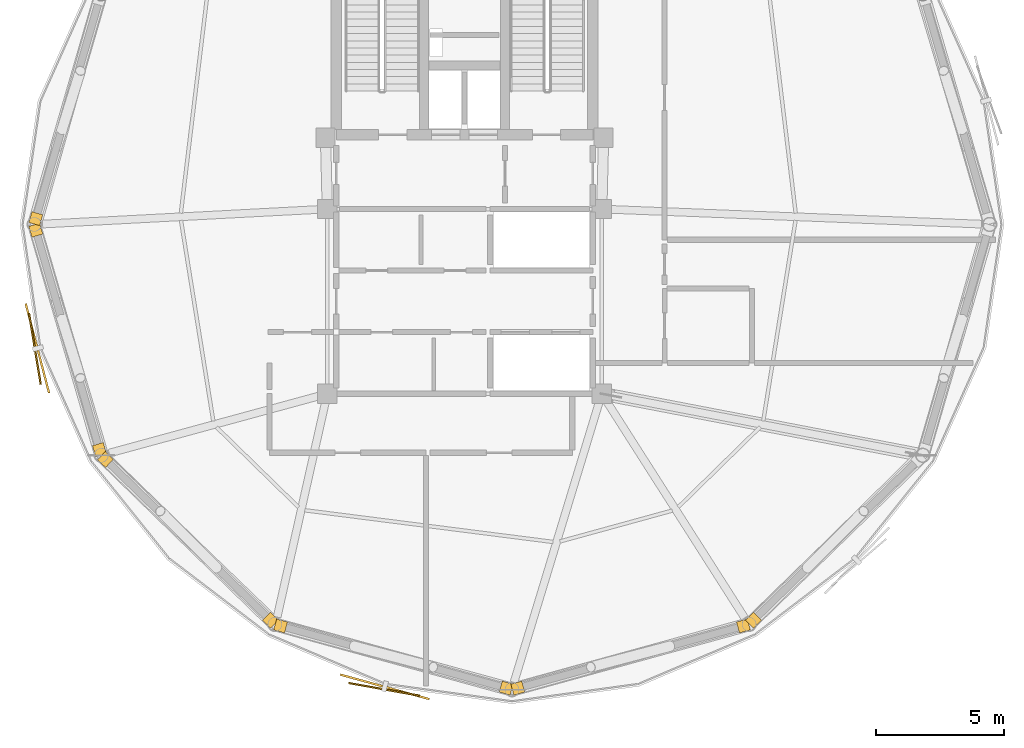
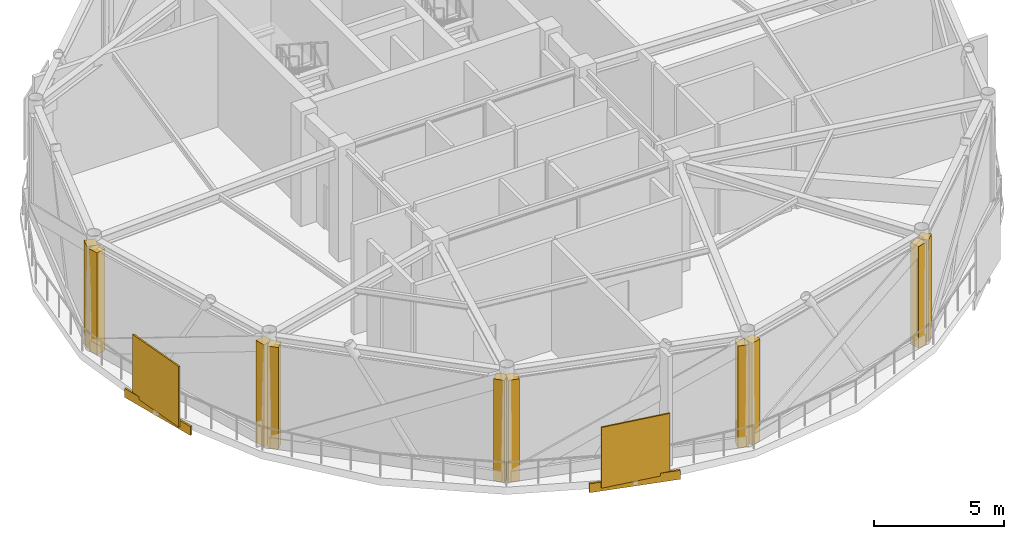
# One storey, part 6 of 10: 12 coverings, 2 shading devices.
"""IFC4 building model written with IfcOpenShell, lengths in metres."""

from ifc_helpers import new_model, si_unit, direction, frame, origin, origin_2d, place, context, subcontext, project, spatial, rectangle, extrude, source, transform, mapped, material, layer, layer_set, type_object, type_shapes, element, save


model = new_model("IFC4")

# Units and contexts
model_context = context("Model", 3, precision=1e-05, world=origin(), true_north=direction((0.0, 1.0)))
body_context = subcontext(model_context, "Body", "Model", "MODEL_VIEW")
ifc_project = project(units=[si_unit("LENGTHUNIT", "METRE"), si_unit("AREAUNIT", "SQUARE_METRE"), si_unit("VOLUMEUNIT", "CUBIC_METRE"), si_unit("PLANEANGLEUNIT", "RADIAN"), si_unit("MASSUNIT", "GRAM", prefix="KILO")], contexts=[model_context])

# Site, building, storey
site_placement = place(None, origin())
site = spatial("IfcSite", under=ifc_project, at=site_placement, CompositionType="ELEMENT")
building_placement = place(site_placement, origin())
building = spatial("IfcBuilding", under=site, at=building_placement, Name="Varnakorn Sky Granary", CompositionType="ELEMENT")
storey_placement = place(building_placement, frame((0.0, 0.0, 240.0)))
storey = spatial("IfcBuildingStorey", under=building, at=storey_placement, Name="L61", CompositionType="ELEMENT", Elevation=240.0)

# Coverings
ifc_material = material(Name="Anodised Bronze Aluminium Alloy 6063-T6", Category="aluminium")
ifc_layer = layer(ifc_material, 0.050048828125, Name="Anodised Bronze Aluminium Alloy 6063-T6")
ifc_layer_set = layer_set([ifc_layer], Name="Anodised Bronze Aluminium Alloy 6063-T6")
covering_type = type_object("IfcCoveringType", Name="CV-CLAD-50", PredefinedType="CLADDING", material=ifc_layer_set)
shared_shape_1 = source(origin(), body_context, "Body", "SweptSolid", [
    extrude(rectangle(XDim=3.60009765625, YDim=0.080078125, at=origin_2d()), origin(), (0.0, 0.0, 1.0), 0.419921875),
])
for number, where, z_axis, x_axis, name in (
    (1, (-13.653564453125, -4.830078125, -0.330078125), (0.0, 0.0, 1.0), (0.252567284053, -0.967579333712, 0.0), "Bronze Slab-Edge Spandrel Cladding L61-07"),
    (2, (-0.10888671875, -18.02880859375, -0.330078125), (0.0, 0.0, 1.0), (0.96419292417, -0.265201819339, 0.0), "Bronze Slab-Edge Spandrel Cladding L61-09"),
):
    element("IfcCovering", number, at=place(storey_placement, frame(where, z_axis=z_axis, x_axis=x_axis)), inside=storey, type_object=covering_type, Name=name, PredefinedType="CLADDING", context=body_context, shape_type="MappedRepresentation", body=[
        mapped(shared_shape_1, transform((0.0, 0.0, 0.0), x_axis=(1.0, 0.0, 0.0), y_axis=(0.0, 1.0, 0.0), z_axis=(0.0, 0.0, 1.0), scale=1.0)),
    ])

# Shading devices
shading_device_type = type_object("IfcShadingDeviceType", Name="SH-SCR-03", PredefinedType="USERDEFINED", material=ifc_material)
shared_shape_2 = source(origin(), body_context, "Body", "SweptSolid", [
    extrude(rectangle(XDim=2.800048828125, YDim=0.06494140625, at=origin_2d()), origin(), (0.0, 0.0, 1.0), 2.85009765625),
])
type_shapes(shading_device_type, [shared_shape_2])
for number, where, z_axis, x_axis, name in (
    (3, (-13.750244140625, -4.855224609375, -0.0400390625), (0.0, 0.0, 1.0), (0.162972670784, -0.986630583642, 0.0), "Perforated Bronze Solar Screen Panel SCREEN L61-07"),
    (4, (-0.13525390625, -18.125244140625, -0.0400390625), (0.0, 0.0, 1.0), (0.984414460763, -0.175864065235, 0.0), "Perforated Bronze Solar Screen Panel SCREEN L61-09"),
):
    element("IfcShadingDevice", number, at=place(storey_placement, frame(where, z_axis=z_axis, x_axis=x_axis)), inside=storey, type_object=shading_device_type, Name=name, ObjectType="SCREEN", PredefinedType="USERDEFINED", context=body_context, shape_type="MappedRepresentation", body=[
        mapped(shared_shape_2, transform((0.0, 0.0, 0.0), x_axis=(1.0, 0.0, 0.0), y_axis=(0.0, 1.0, 0.0), z_axis=(0.0, 0.0, 1.0), scale=1.0)),
    ])

# Coverings
shared_shape_3 = source(origin(), body_context, "Body", "SweptSolid", [
    extrude(rectangle(XDim=0.43994140625, YDim=0.43994140625, at=origin_2d()), origin(), (0.0, 0.0, 1.0), 4.7900390625),
])
type_shapes(covering_type, [shared_shape_1, shared_shape_3])
for number, where, z_axis, x_axis, name in (
    (5, (-13.715576171875, 0.22509765625, -0.02001953125), (0.0, 0.0, 1.0), (0.278823498925, 0.960342364184, 0.0), "Bronze Corner Pilaster Closure L61-P06-A"),
    (6, (-11.2333984375, -8.77734375, -0.02001953125), (0.0, 0.0, 1.0), (-0.278823498925, 0.960342364184, 0.0), "Bronze Corner Pilaster Closure L61-P07-A"),
    (7, (-13.715576171875, -0.22509765625, -0.02001953125), (0.0, 0.0, 1.0), (-0.278823498925, 0.960342364184, 0.0), "Bronze Corner Pilaster Closure L61-P07-B"),
    (8, (-4.56591796875, -15.42919921875, -0.02001953125), (0.0, 0.0, 1.0), (-0.7165454746, 0.697540380788, 0.0), "Bronze Corner Pilaster Closure L61-P08-A"),
    (9, (-11.0, -9.166015625, -0.02001953125), (0.0, 0.0, 1.0), (-0.7165454746, 0.697540380788, 0.0), "Bronze Corner Pilaster Closure L61-P08-B"),
    (10, (4.623779296875, -18.07763671875, -0.02001953125), (0.0, 0.0, 1.0), (-0.964095404234, 0.265556117487, 0.0), "Bronze Corner Pilaster Closure L61-P09-A"),
    (11, (-4.171875, -15.655029296875, -0.02001953125), (0.0, 0.0, 1.0), (-0.964095404234, 0.265556117487, 0.0), "Bronze Corner Pilaster Closure L61-P09-B"),
    (12, (13.871826171875, -15.655029296875, -0.02001953125), (0.0, 0.0, 1.0), (-0.964095404234, -0.265556117487, 0.0), "Bronze Corner Pilaster Closure L61-P10-A"),
    (13, (5.076171875, -18.07763671875, -0.02001953125), (0.0, 0.0, 1.0), (-0.964095404234, -0.265556117487, 0.0), "Bronze Corner Pilaster Closure L61-P10-B"),
    (14, (14.26611328125, -15.42919921875, -0.02001953125), (0.0, 0.0, 1.0), (-0.7165454746, -0.697540380788, 0.0), "Bronze Corner Pilaster Closure L61-P11-B"),
):
    element("IfcCovering", number, at=place(storey_placement, frame(where, z_axis=z_axis, x_axis=x_axis)), inside=storey, type_object=covering_type, Name=name, PredefinedType="CLADDING", context=body_context, shape_type="MappedRepresentation", body=[
        mapped(shared_shape_3, transform((0.0, 0.0, 0.0), x_axis=(1.0, 0.0, 0.0), y_axis=(0.0, 1.0, 0.0), z_axis=(0.0, 0.0, 1.0), scale=1.0)),
    ])

save(model, "model.ifc")
